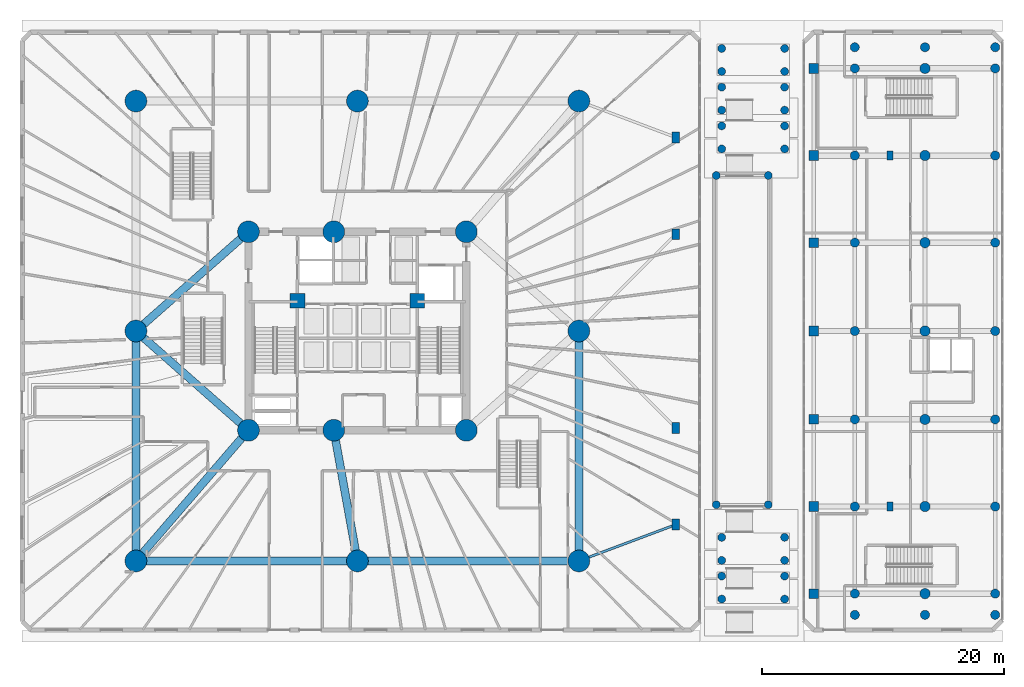
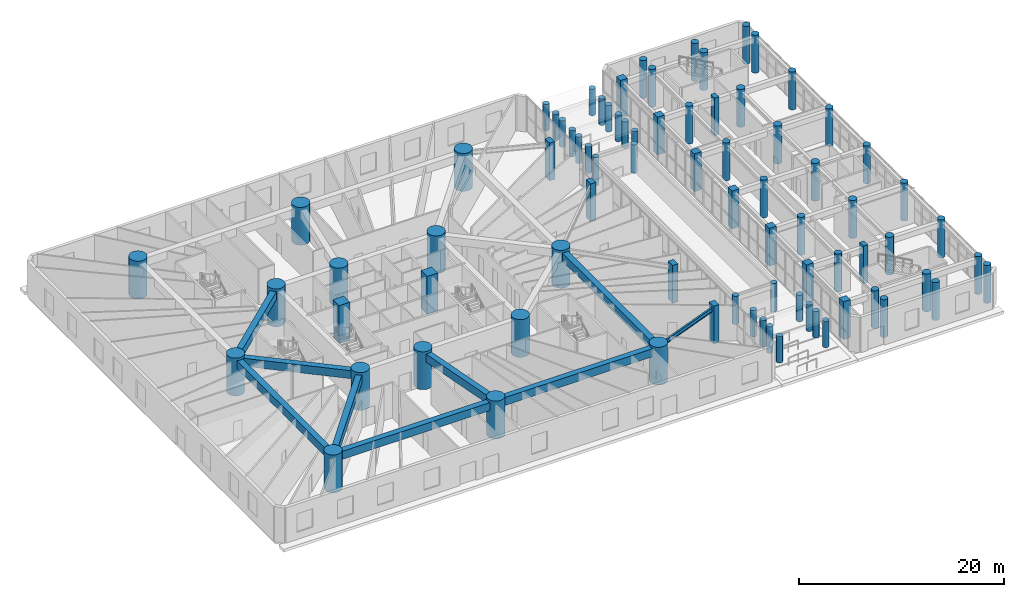
# One storey, part 1 of 30: 80 columns, 9 beams.
"""IFC4 building model written with IfcOpenShell, lengths in metres."""

from ifc_helpers import new_model, si_unit, direction, frame, origin, origin_with_axes, origin_2d, place, context, subcontext, project, spatial, rectangle, circle, i_section, extrude, source, transform, mapped, material, material_profile, profile_set, type_object, element, save


model = new_model("IFC4")

# Units and contexts
model_context = context("Model", 3, precision=1e-05, world=origin(), true_north=direction((0.0, 1.0)))
body_context = subcontext(model_context, "Body", "Model", "MODEL_VIEW")
ifc_project = project(units=[si_unit("LENGTHUNIT", "METRE"), si_unit("AREAUNIT", "SQUARE_METRE"), si_unit("VOLUMEUNIT", "CUBIC_METRE"), si_unit("PLANEANGLEUNIT", "RADIAN"), si_unit("MASSUNIT", "GRAM", prefix="KILO")], contexts=[model_context])

# Site, building, storey
site_placement = place(None, origin())
site = spatial("IfcSite", under=ifc_project, at=site_placement, CompositionType="ELEMENT")
building_placement = place(site_placement, origin())
building = spatial("IfcBuilding", under=site, at=building_placement, Name="Karkom Vertical University and Central Library", CompositionType="ELEMENT")
storey_placement = place(building_placement, origin())
storey = spatial("IfcBuildingStorey", under=building, at=storey_placement, Name="L00", CompositionType="ELEMENT", Elevation=0.0)

# Columns
ifc_material_1 = material(Name="Concrete C40/50", Category="concrete")
ifc_material_profile_1 = material_profile(ifc_material_1, circle(Radius=0.324951171875, at=origin_2d()), Name="RC-D650")
ifc_profile_set_1 = profile_set([ifc_material_profile_1], Name="Concrete C40/50")
column_type_1 = type_object("IfcColumnType", Name="STR-COL-C-LB3", PredefinedType="COLUMN", material=ifc_profile_set_1)
shared_shape_1 = source(origin_with_axes(), body_context, "Body", "SweptSolid", [
    extrude(circle(Radius=0.324951171875, at=origin_2d()), origin(), (0.0, 0.0, 1.0), 3.139892578125),
])
for number, where, z_axis, x_axis, name in (
    (1, (58.60009765625, 4.35009765625, 0.0), (0.0, 0.0, 1.0), (1.0, 0.0, 0.0), "Level 00 Plaza Canopy Column 1"),
    (2, (58.60009765625, 6.25, 0.0), (0.0, 0.0, 1.0), (1.0, 0.0, 0.0), "Level 00 Plaza Canopy Column 1"),
    (3, (63.800048828125, 4.35009765625, 0.0), (0.0, 0.0, 1.0), (1.0, 0.0, 0.0), "Level 00 Plaza Canopy Column 1"),
    (4, (63.800048828125, 6.25, 0.0), (0.0, 0.0, 1.0), (1.0, 0.0, 0.0), "Level 00 Plaza Canopy Column 1"),
    (5, (58.60009765625, 7.550048828125, 0.0), (0.0, 0.0, 1.0), (1.0, 0.0, 0.0), "Level 00 Plaza Canopy Column 2"),
    (6, (58.60009765625, 9.449951171875, 0.0), (0.0, 0.0, 1.0), (1.0, 0.0, 0.0), "Level 00 Plaza Canopy Column 2"),
    (7, (63.800048828125, 7.550048828125, 0.0), (0.0, 0.0, 1.0), (1.0, 0.0, 0.0), "Level 00 Plaza Canopy Column 2"),
    (8, (63.800048828125, 9.449951171875, 0.0), (0.0, 0.0, 1.0), (1.0, 0.0, 0.0), "Level 00 Plaza Canopy Column 2"),
    (9, (58.60009765625, 41.550048828125, 0.0), (0.0, 0.0, 1.0), (1.0, 0.0, 0.0), "Level 00 Plaza Canopy Column 3"),
    (10, (58.60009765625, 43.449951171875, 0.0), (0.0, 0.0, 1.0), (1.0, 0.0, 0.0), "Level 00 Plaza Canopy Column 3"),
    (11, (63.800048828125, 41.550048828125, 0.0), (0.0, 0.0, 1.0), (1.0, 0.0, 0.0), "Level 00 Plaza Canopy Column 3"),
    (12, (63.800048828125, 43.449951171875, 0.0), (0.0, 0.0, 1.0), (1.0, 0.0, 0.0), "Level 00 Plaza Canopy Column 3"),
    (13, (58.60009765625, 44.75, 0.0), (0.0, 0.0, 1.0), (1.0, 0.0, 0.0), "Level 00 Plaza Canopy Column 4"),
    (14, (58.60009765625, 46.64990234375, 0.0), (0.0, 0.0, 1.0), (1.0, 0.0, 0.0), "Level 00 Plaza Canopy Column 4"),
    (15, (63.800048828125, 44.75, 0.0), (0.0, 0.0, 1.0), (1.0, 0.0, 0.0), "Level 00 Plaza Canopy Column 4"),
    (16, (63.800048828125, 46.64990234375, 0.0), (0.0, 0.0, 1.0), (1.0, 0.0, 0.0), "Level 00 Plaza Canopy Column 4"),
    (17, (58.60009765625, 47.949951171875, 0.0), (0.0, 0.0, 1.0), (1.0, 0.0, 0.0), "Level 00 Plaza Canopy Column 5"),
    (18, (58.60009765625, 49.85009765625, 0.0), (0.0, 0.0, 1.0), (1.0, 0.0, 0.0), "Level 00 Plaza Canopy Column 5"),
    (19, (63.800048828125, 47.949951171875, 0.0), (0.0, 0.0, 1.0), (1.0, 0.0, 0.0), "Level 00 Plaza Canopy Column 5"),
    (20, (63.800048828125, 49.85009765625, 0.0), (0.0, 0.0, 1.0), (1.0, 0.0, 0.0), "Level 00 Plaza Canopy Column 5"),
):
    element("IfcColumn", number, at=place(storey_placement, frame(where, z_axis=z_axis, x_axis=x_axis)), inside=storey, type_object=column_type_1, Name=name, PredefinedType="COLUMN", context=body_context, shape_type="MappedRepresentation", body=[
        mapped(shared_shape_1, transform((0.0, 0.0, 0.0), scale=1.0)),
    ])
shared_shape_2 = source(origin_with_axes(), body_context, "Body", "SweptSolid", [
    extrude(circle(Radius=0.324951171875, at=origin_2d()), origin(), (0.0, 0.0, 1.0), 3.360107421875),
])
for number, where, z_axis, x_axis, name in (
    (21, (58.14990234375, 12.14990234375, 0.0), (0.0, 0.0, 1.0), (1.0, 0.0, 0.0), "Level 00 Ramp Pavilion Support Column 1"),
    (22, (62.449951171875, 12.14990234375, 0.0), (0.0, 0.0, 1.0), (1.0, 0.0, 0.0), "Level 00 Ramp Pavilion Support Column 2"),
    (23, (62.449951171875, 39.35009765625, 0.0), (0.0, 0.0, 1.0), (1.0, 0.0, 0.0), "Level 00 Ramp Pavilion Support Column 3"),
    (24, (58.14990234375, 39.35009765625, 0.0), (0.0, 0.0, 1.0), (1.0, 0.0, 0.0), "Level 00 Ramp Pavilion Support Column 4"),
):
    element("IfcColumn", number, at=place(storey_placement, frame(where, z_axis=z_axis, x_axis=x_axis)), inside=storey, type_object=column_type_1, Name=name, PredefinedType="COLUMN", context=body_context, shape_type="MappedRepresentation", body=[
        mapped(shared_shape_2, transform((0.0, 0.0, 0.0), scale=1.0)),
    ])
ifc_material_profile_2 = material_profile(ifc_material_1, circle(Radius=0.375, at=origin_2d()), Name="RC-D750")
ifc_profile_set_2 = profile_set([ifc_material_profile_2], Name="Concrete C40/50")
column_type_2 = type_object("IfcColumnType", Name="STR-COL-C-LB2", PredefinedType="COLUMN", material=ifc_profile_set_2)
shared_shape_3 = source(origin_with_axes(), body_context, "Body", "SweptSolid", [
    extrude(circle(Radius=0.375, at=origin_2d()), origin(), (0.0, 0.0, 1.0), 4.5),
])
for number, where, z_axis, x_axis, name in (
    (25, (69.60009765625, 3.050048828125, 0.0), (0.0, 0.0, 1.0), (1.0, 0.0, 0.0), "Level 00 Library Vault End Column"),
    (26, (69.60009765625, 49.949951171875, 0.0), (0.0, 0.0, 1.0), (1.0, 0.0, 0.0), "Level 00 Library Vault End Column"),
    (27, (75.39990234375, 3.050048828125, 0.0), (0.0, 0.0, 1.0), (1.0, 0.0, 0.0), "Level 00 Library Vault End Column"),
    (28, (75.39990234375, 49.949951171875, 0.0), (0.0, 0.0, 1.0), (1.0, 0.0, 0.0), "Level 00 Library Vault End Column"),
    (29, (81.199951171875, 3.050048828125, 0.0), (0.0, 0.0, 1.0), (1.0, 0.0, 0.0), "Level 00 Library Vault End Column"),
    (30, (81.199951171875, 49.949951171875, 0.0), (0.0, 0.0, 1.0), (1.0, 0.0, 0.0), "Level 00 Library Vault End Column"),
    (31, (69.60009765625, 4.800048828125, 0.0), (0.0, 0.0, 1.0), (1.0, 0.0, 0.0), "Level 00 Central Library Column LC-1-1"),
    (32, (69.60009765625, 12.0, 0.0), (0.0, 0.0, 1.0), (1.0, 0.0, 0.0), "Level 00 Central Library Column LC-1-2"),
    (33, (69.60009765625, 19.199951171875, 0.0), (0.0, 0.0, 1.0), (1.0, 0.0, 0.0), "Level 00 Central Library Column LC-1-3"),
    (34, (69.60009765625, 26.5, 0.0), (0.0, 0.0, 1.0), (1.0, 0.0, 0.0), "Level 00 Central Library Column LC-1-4"),
    (35, (69.60009765625, 33.800048828125, 0.0), (0.0, 0.0, 1.0), (1.0, 0.0, 0.0), "Level 00 Central Library Column LC-1-5"),
    (36, (69.60009765625, 41.0, 0.0), (0.0, 0.0, 1.0), (1.0, 0.0, 0.0), "Level 00 Central Library Column LC-1-6"),
    (37, (69.60009765625, 48.199951171875, 0.0), (0.0, 0.0, 1.0), (1.0, 0.0, 0.0), "Level 00 Central Library Column LC-1-7"),
    (38, (81.199951171875, 4.800048828125, 0.0), (0.0, 0.0, 1.0), (1.0, 0.0, 0.0), "Level 00 Central Library Column LC-3-1"),
    (39, (81.199951171875, 12.0, 0.0), (0.0, 0.0, 1.0), (1.0, 0.0, 0.0), "Level 00 Central Library Column LC-3-2"),
    (40, (81.199951171875, 19.199951171875, 0.0), (0.0, 0.0, 1.0), (1.0, 0.0, 0.0), "Level 00 Central Library Column LC-3-3"),
    (41, (81.199951171875, 26.5, 0.0), (0.0, 0.0, 1.0), (1.0, 0.0, 0.0), "Level 00 Central Library Column LC-3-4"),
    (42, (81.199951171875, 33.800048828125, 0.0), (0.0, 0.0, 1.0), (1.0, 0.0, 0.0), "Level 00 Central Library Column LC-3-5"),
    (43, (81.199951171875, 41.0, 0.0), (0.0, 0.0, 1.0), (1.0, 0.0, 0.0), "Level 00 Central Library Column LC-3-6"),
    (44, (81.199951171875, 48.199951171875, 0.0), (0.0, 0.0, 1.0), (1.0, 0.0, 0.0), "Level 00 Central Library Column LC-3-7"),
):
    element("IfcColumn", number, at=place(storey_placement, frame(where, z_axis=z_axis, x_axis=x_axis)), inside=storey, type_object=column_type_2, Name=name, PredefinedType="COLUMN", context=body_context, shape_type="MappedRepresentation", body=[
        mapped(shared_shape_3, transform((0.0, 0.0, 0.0), scale=1.0)),
    ])
ifc_material_2 = material(Name="Concrete C50/60", Category="concrete")
ifc_material_profile_3 = material_profile(ifc_material_2, circle(Radius=0.89990234375, at=origin_2d()), Name="CFT-D1800")
ifc_profile_set_3 = profile_set([ifc_material_profile_3], Name="Concrete C50/60")
column_type_3 = type_object("IfcColumnType", Name="STR-COL-C-SC1", PredefinedType="COLUMN", material=ifc_profile_set_3)
shared_shape_4 = source(origin_with_axes(), body_context, "Body", "SweptSolid", [
    extrude(circle(Radius=0.89990234375, at=origin_2d()), origin(), (0.0, 0.0, 1.0), 4.5),
])
for number, where, z_axis, x_axis, name in (
    (45, (19.5, 18.300048828125, 0.0), (0.0, 0.0, 1.0), (1.0, 0.0, 0.0), "Level 00 Spine Mega-Column SC-1"),
    (46, (26.550048828125, 18.300048828125, 0.0), (0.0, 0.0, 1.0), (1.0, 0.0, 0.0), "Level 00 Spine Mega-Column SC-2"),
    (47, (37.5, 18.300048828125, 0.0), (0.0, 0.0, 1.0), (1.0, 0.0, 0.0), "Level 00 Spine Mega-Column SC-3"),
    (48, (19.5, 34.699951171875, 0.0), (0.0, 0.0, 1.0), (1.0, 0.0, 0.0), "Level 00 Spine Mega-Column SC-4"),
    (49, (26.550048828125, 34.699951171875, 0.0), (0.0, 0.0, 1.0), (1.0, 0.0, 0.0), "Level 00 Spine Mega-Column SC-5"),
    (50, (37.5, 34.699951171875, 0.0), (0.0, 0.0, 1.0), (1.0, 0.0, 0.0), "Level 00 Spine Mega-Column SC-6"),
    (51, (10.199951171875, 7.5, 0.0), (0.0, 0.0, 1.0), (1.0, 0.0, 0.0), "Level 00 Podium Mega-Column PMC-1"),
    (52, (28.5, 7.5, 0.0), (0.0, 0.0, 1.0), (1.0, 0.0, 0.0), "Level 00 Podium Mega-Column PMC-2"),
    (53, (46.800048828125, 7.5, 0.0), (0.0, 0.0, 1.0), (1.0, 0.0, 0.0), "Level 00 Podium Mega-Column PMC-3"),
    (54, (10.199951171875, 26.5, 0.0), (0.0, 0.0, 1.0), (1.0, 0.0, 0.0), "Level 00 Podium Mega-Column PMC-4"),
    (55, (46.800048828125, 26.5, 0.0), (0.0, 0.0, 1.0), (1.0, 0.0, 0.0), "Level 00 Podium Mega-Column PMC-5"),
    (56, (10.199951171875, 45.5, 0.0), (0.0, 0.0, 1.0), (1.0, 0.0, 0.0), "Level 00 Podium Mega-Column PMC-6"),
    (57, (28.5, 45.5, 0.0), (0.0, 0.0, 1.0), (1.0, 0.0, 0.0), "Level 00 Podium Mega-Column PMC-7"),
    (58, (46.800048828125, 45.5, 0.0), (0.0, 0.0, 1.0), (1.0, 0.0, 0.0), "Level 00 Podium Mega-Column PMC-8"),
):
    element("IfcColumn", number, at=place(storey_placement, frame(where, z_axis=z_axis, x_axis=x_axis)), inside=storey, type_object=column_type_3, Name=name, PredefinedType="COLUMN", context=body_context, shape_type="MappedRepresentation", body=[
        mapped(shared_shape_4, transform((0.0, 0.0, 0.0), scale=1.0)),
    ])
ifc_material_profile_4 = material_profile(ifc_material_2, rectangle(XDim=1.199951171875, YDim=1.199951171875, at=origin_2d()), Name="RC-1200x1200")
ifc_profile_set_4 = profile_set([ifc_material_profile_4], Name="Concrete C50/60")
column_type_4 = type_object("IfcColumnType", Name="STR-COL-C-CC1", PredefinedType="COLUMN", material=ifc_profile_set_4)
shared_shape_5 = source(origin_with_axes(), body_context, "Body", "SweptSolid", [
    extrude(rectangle(XDim=1.199951171875, YDim=1.199951171875, at=origin_2d()), origin(), (0.0, 0.0, 1.0), 4.5),
])
for number, where, z_axis, x_axis, name in (
    (59, (23.550048828125, 29.0, 0.0), (0.0, 0.0, 1.0), (1.0, 0.0, 0.0), "Level 00 Core Node Column CC-1"),
    (60, (33.449951171875, 29.0, 0.0), (0.0, 0.0, 1.0), (1.0, 0.0, 0.0), "Level 00 Core Node Column CC-2"),
):
    element("IfcColumn", number, at=place(storey_placement, frame(where, z_axis=z_axis, x_axis=x_axis)), inside=storey, type_object=column_type_4, Name=name, PredefinedType="COLUMN", context=body_context, shape_type="MappedRepresentation", body=[
        mapped(shared_shape_5, transform((0.0, 0.0, 0.0), scale=1.0)),
    ])
ifc_material_3 = material(Name="Precast concrete C45/55", Category="concrete")
ifc_material_profile_5 = material_profile(ifc_material_3, rectangle(XDim=0.60009765625, YDim=0.89990234375, at=origin_2d()), Name="PIL-600x900")
ifc_profile_set_5 = profile_set([ifc_material_profile_5], Name="Precast concrete C45/55")
column_type_5 = type_object("IfcColumnType", Name="STR-COL-PL-ARC1", PredefinedType="PILASTER", material=ifc_profile_set_5)
shared_shape_6 = source(origin_with_axes(), body_context, "Body", "SweptSolid", [
    extrude(rectangle(XDim=0.60009765625, YDim=0.89990234375, at=origin_2d()), origin(), (0.0, 0.0, 1.0), 4.5),
])
for number, where, z_axis, x_axis, name in (
    (61, (54.800048828125, 10.5, 0.0), (0.0, 0.0, 1.0), (1.0, 0.0, 0.0), "Level 00 Podium Arcade Pilaster PIL-1"),
    (62, (54.800048828125, 18.5, 0.0), (0.0, 0.0, 1.0), (1.0, 0.0, 0.0), "Level 00 Podium Arcade Pilaster PIL-2"),
    (63, (54.800048828125, 34.5, 0.0), (0.0, 0.0, 1.0), (1.0, 0.0, 0.0), "Level 00 Podium Arcade Pilaster PIL-3"),
    (64, (54.800048828125, 42.5, 0.0), (0.0, 0.0, 1.0), (1.0, 0.0, 0.0), "Level 00 Podium Arcade Pilaster PIL-4"),
):
    element("IfcColumn", number, at=place(storey_placement, frame(where, z_axis=z_axis, x_axis=x_axis)), inside=storey, type_object=column_type_5, Name=name, PredefinedType="PILASTER", context=body_context, shape_type="MappedRepresentation", body=[
        mapped(shared_shape_6, transform((0.0, 0.0, 0.0), scale=1.0)),
    ])
ifc_material_4 = material(Name="Concrete C45/55", Category="concrete")
ifc_material_profile_6 = material_profile(ifc_material_4, circle(Radius=0.425048828125, at=origin_2d()), Name="RC-D850")
ifc_profile_set_6 = profile_set([ifc_material_profile_6], Name="Concrete C45/55")
column_type_6 = type_object("IfcColumnType", Name="STR-COL-C-LB1", PredefinedType="COLUMN", material=ifc_profile_set_6)
shared_shape_7 = source(origin_with_axes(), body_context, "Body", "SweptSolid", [
    extrude(circle(Radius=0.425048828125, at=origin_2d()), origin(), (0.0, 0.0, 1.0), 4.5),
])
for number, where, z_axis, x_axis, name in (
    (65, (75.39990234375, 4.800048828125, 0.0), (0.0, 0.0, 1.0), (1.0, 0.0, 0.0), "Level 00 Central Library Column LC-2-1"),
    (66, (75.39990234375, 12.0, 0.0), (0.0, 0.0, 1.0), (1.0, 0.0, 0.0), "Level 00 Central Library Column LC-2-2"),
    (67, (75.39990234375, 19.199951171875, 0.0), (0.0, 0.0, 1.0), (1.0, 0.0, 0.0), "Level 00 Central Library Column LC-2-3"),
    (68, (75.39990234375, 26.5, 0.0), (0.0, 0.0, 1.0), (1.0, 0.0, 0.0), "Level 00 Central Library Column LC-2-4"),
    (69, (75.39990234375, 33.800048828125, 0.0), (0.0, 0.0, 1.0), (1.0, 0.0, 0.0), "Level 00 Central Library Column LC-2-5"),
    (70, (75.39990234375, 41.0, 0.0), (0.0, 0.0, 1.0), (1.0, 0.0, 0.0), "Level 00 Central Library Column LC-2-6"),
    (71, (75.39990234375, 48.199951171875, 0.0), (0.0, 0.0, 1.0), (1.0, 0.0, 0.0), "Level 00 Central Library Column LC-2-7"),
):
    element("IfcColumn", number, at=place(storey_placement, frame(where, z_axis=z_axis, x_axis=x_axis)), inside=storey, type_object=column_type_6, Name=name, PredefinedType="COLUMN", context=body_context, shape_type="MappedRepresentation", body=[
        mapped(shared_shape_7, transform((0.0, 0.0, 0.0), scale=1.0)),
    ])
ifc_material_profile_7 = material_profile(ifc_material_4, rectangle(XDim=0.800048828125, YDim=0.800048828125, at=origin_2d()), Name="RC-800x800")
ifc_profile_set_7 = profile_set([ifc_material_profile_7], Name="Concrete C45/55")
column_type_7 = type_object("IfcColumnType", Name="STR-COL-C-LC1", PredefinedType="COLUMN", material=ifc_profile_set_7)
shared_shape_8 = source(origin_with_axes(), body_context, "Body", "SweptSolid", [
    extrude(rectangle(XDim=0.800048828125, YDim=0.800048828125, at=origin_2d()), origin(), (0.0, 0.0, 1.0), 4.5),
])
for number, where, z_axis, x_axis, name in (
    (72, (66.199951171875, 4.800048828125, 0.0), (0.0, 0.0, 1.0), (1.0, 0.0, 0.0), "Level 00 Central Library Column LC-0-1"),
    (73, (66.199951171875, 12.0, 0.0), (0.0, 0.0, 1.0), (1.0, 0.0, 0.0), "Level 00 Central Library Column LC-0-2"),
    (74, (66.199951171875, 19.199951171875, 0.0), (0.0, 0.0, 1.0), (1.0, 0.0, 0.0), "Level 00 Central Library Column LC-0-3"),
    (75, (66.199951171875, 26.5, 0.0), (0.0, 0.0, 1.0), (1.0, 0.0, 0.0), "Level 00 Central Library Column LC-0-4"),
    (76, (66.199951171875, 33.800048828125, 0.0), (0.0, 0.0, 1.0), (1.0, 0.0, 0.0), "Level 00 Central Library Column LC-0-5"),
    (77, (66.199951171875, 41.0, 0.0), (0.0, 0.0, 1.0), (1.0, 0.0, 0.0), "Level 00 Central Library Column LC-0-6"),
    (78, (66.199951171875, 48.199951171875, 0.0), (0.0, 0.0, 1.0), (1.0, 0.0, 0.0), "Level 00 Central Library Column LC-0-7"),
):
    element("IfcColumn", number, at=place(storey_placement, frame(where, z_axis=z_axis, x_axis=x_axis)), inside=storey, type_object=column_type_7, Name=name, PredefinedType="COLUMN", context=body_context, shape_type="MappedRepresentation", body=[
        mapped(shared_shape_8, transform((0.0, 0.0, 0.0), scale=1.0)),
    ])
ifc_material_profile_8 = material_profile(ifc_material_3, rectangle(XDim=0.5, YDim=0.75, at=origin_2d()), Name="PIL-500x750")
ifc_profile_set_8 = profile_set([ifc_material_profile_8], Name="Precast concrete C45/55")
column_type_8 = type_object("IfcColumnType", Name="STR-COL-PL-SKG1", PredefinedType="PILASTER", material=ifc_profile_set_8)
shared_shape_9 = source(origin_with_axes(), body_context, "Body", "SweptSolid", [
    extrude(rectangle(XDim=0.5, YDim=0.75, at=origin_2d()), origin(), (0.0, 0.0, 1.0), 4.5),
])
for number, where, z_axis, x_axis, name in (
    (79, (72.5, 12.0, 0.0), (0.0, 0.0, 1.0), (1.0, 0.0, 0.0), "Level 00 Library Reading Hall Pier Pilaster 1"),
    (80, (72.5, 41.0, 0.0), (0.0, 0.0, 1.0), (1.0, 0.0, 0.0), "Level 00 Library Reading Hall Pier Pilaster 2"),
):
    element("IfcColumn", number, at=place(storey_placement, frame(where, z_axis=z_axis, x_axis=x_axis)), inside=storey, type_object=column_type_8, Name=name, PredefinedType="PILASTER", context=body_context, shape_type="MappedRepresentation", body=[
        mapped(shared_shape_9, transform((0.0, 0.0, 0.0), scale=1.0)),
    ])

# Beams
ifc_material_profile_9 = material_profile(ifc_material_2, rectangle(XDim=0.64990234375, YDim=0.949951171875, at=origin_2d()), Name="RCG-650x950")
ifc_profile_set_9 = profile_set([ifc_material_profile_9], Name="Concrete C50/60")
beam_type_1 = type_object("IfcBeamType", Name="STR-BM-BG-1", PredefinedType="USERDEFINED", material=ifc_profile_set_9)
shared_shape_10 = source(origin_with_axes(), body_context, "Body", "SweptSolid", [
    extrude(rectangle(XDim=0.64990234375, YDim=0.949951171875, at=origin_2d()), origin(), (0.0, 0.0, 1.0), 18.300048828125),
])
for number, where, z_axis, x_axis, name in (
    (81, (10.199951171875, 7.5, 3.72509765625), (1.0, 0.0, 0.0), (0.0, 1.0, 0.0), "Level 00 Podium Primary Girder 01"),
    (82, (28.5, 7.5, 3.72509765625), (1.0, 0.0, 0.0), (0.0, 1.0, 0.0), "Level 00 Podium Primary Girder 02"),
):
    element("IfcBeam", number, at=place(storey_placement, frame(where, z_axis=z_axis, x_axis=x_axis)), inside=storey, type_object=beam_type_1, Name=name, ObjectType="GIRDER", PredefinedType="USERDEFINED", context=body_context, shape_type="MappedRepresentation", body=[
        mapped(shared_shape_10, transform((0.0, 0.0, 0.0), scale=1.0)),
    ])
shared_shape_11 = source(origin_with_axes(), body_context, "Body", "SweptSolid", [
    extrude(rectangle(XDim=0.64990234375, YDim=0.949951171875, at=origin_2d()), origin(), (0.0, 0.0, 1.0), 19.0),
])
for number, where, z_axis, x_axis, name in (
    (83, (10.199951171875, 7.5, 3.72509765625), (0.0, 1.0, 0.0), (-1.0, 0.0, 0.0), "Level 00 Podium Primary Girder 03"),
    (84, (46.800048828125, 7.5, 3.72509765625), (0.0, 1.0, 0.0), (-1.0, 0.0, 0.0), "Level 00 Podium Primary Girder 05"),
):
    element("IfcBeam", number, at=place(storey_placement, frame(where, z_axis=z_axis, x_axis=x_axis)), inside=storey, type_object=beam_type_1, Name=name, ObjectType="GIRDER", PredefinedType="USERDEFINED", context=body_context, shape_type="MappedRepresentation", body=[
        mapped(shared_shape_11, transform((0.0, 0.0, 0.0), scale=1.0)),
    ])
shared_shape_12 = source(origin_with_axes(), body_context, "Body", "SweptSolid", [
    extrude(rectangle(XDim=0.64990234375, YDim=0.949951171875, at=origin_2d()), origin(), (0.0, 0.0, 1.0), 14.25244140625),
])
beam_1_placement = place(storey_placement, frame((10.199951171875, 7.5, 3.72509765625), z_axis=(0.652523408586, 0.757768567076, 0.0), x_axis=(-0.757768567076, 0.652523408586, 0.0)))
element("IfcBeam", 85, at=beam_1_placement, inside=storey, type_object=beam_type_1, Name="Level 00 Podium Primary Girder 09", ObjectType="GIRDER", PredefinedType="USERDEFINED", context=body_context, shape_type="MappedRepresentation", body=[
    mapped(shared_shape_12, transform((0.0, 0.0, 0.0), scale=1.0)),
])
shared_shape_13 = source(origin_with_axes(), body_context, "Body", "SweptSolid", [
    extrude(rectangle(XDim=0.64990234375, YDim=0.949951171875, at=origin_2d()), origin(), (0.0, 0.0, 1.0), 10.974609375),
])
beam_2_placement = place(storey_placement, frame((28.5, 7.5, 3.72509765625), z_axis=(-0.177677443813, 0.984088779511, 0.0), x_axis=(-0.984088779511, -0.177677443813, 0.0)))
element("IfcBeam", 86, at=beam_2_placement, inside=storey, type_object=beam_type_1, Name="Level 00 Podium Primary Girder 10", ObjectType="GIRDER", PredefinedType="USERDEFINED", context=body_context, shape_type="MappedRepresentation", body=[
    mapped(shared_shape_13, transform((0.0, 0.0, 0.0), scale=1.0)),
])
shared_shape_14 = source(origin_with_axes(), body_context, "Body", "SweptSolid", [
    extrude(rectangle(XDim=0.64990234375, YDim=0.949951171875, at=origin_2d()), origin(), (0.0, 0.0, 1.0), 12.398681640625),
])
for number, where, z_axis, x_axis, name in (
    (87, (10.199951171875, 26.5, 3.72509765625), (0.75007685274, -0.661350674743, 0.0), (0.661350674743, 0.75007685274, 0.0), "Level 00 Podium Primary Girder 15"),
    (88, (10.199951171875, 26.5, 3.72509765625), (0.75007685274, 0.661350674743, 0.0), (-0.661350674743, 0.75007685274, 0.0), "Level 00 Podium Primary Girder 16"),
):
    element("IfcBeam", number, at=place(storey_placement, frame(where, z_axis=z_axis, x_axis=x_axis)), inside=storey, type_object=beam_type_1, Name=name, ObjectType="GIRDER", PredefinedType="USERDEFINED", context=body_context, shape_type="MappedRepresentation", body=[
        mapped(shared_shape_14, transform((0.0, 0.0, 0.0), scale=1.0)),
    ])
ifc_material_5 = material(Name="Steel S355", Category="steel")
ifc_material_profile_10 = material_profile(ifc_material_5, i_section(OverallWidth=0.199951171875, OverallDepth=0.5, WebThickness=0.01025390625, FlangeThickness=0.01611328125, FilletRadius=0.02099609375, at=origin_2d()), Name="IPE 500")
ifc_profile_set_10 = profile_set([ifc_material_profile_10], Name="Steel S355")
beam_type_2 = type_object("IfcBeamType", Name="STR-BM-SB-IPE500", PredefinedType="BEAM", material=ifc_profile_set_10)
shared_shape_15 = source(origin_with_axes(), body_context, "Body", "SweptSolid", [
    extrude(i_section(OverallWidth=0.199951171875, OverallDepth=0.5, WebThickness=0.01025390625, FlangeThickness=0.01611328125, FilletRadius=0.02099609375, at=origin_2d()), origin(), (0.0, 0.0, 1.0), 8.5439453125),
])
beam_3_placement = place(storey_placement, frame((46.800048828125, 7.5, 3.949951171875), z_axis=(0.936329177569, 0.351123441588, 0.0), x_axis=(-0.351123441588, 0.936329177569, 0.0)))
element("IfcBeam", 89, at=beam_3_placement, inside=storey, type_object=beam_type_2, Name="Level 00 Arcade Tie Beam 1", PredefinedType="BEAM", context=body_context, shape_type="MappedRepresentation", body=[
    mapped(shared_shape_15, transform((0.0, 0.0, 0.0), scale=1.0)),
])

save(model, "model.ifc")
